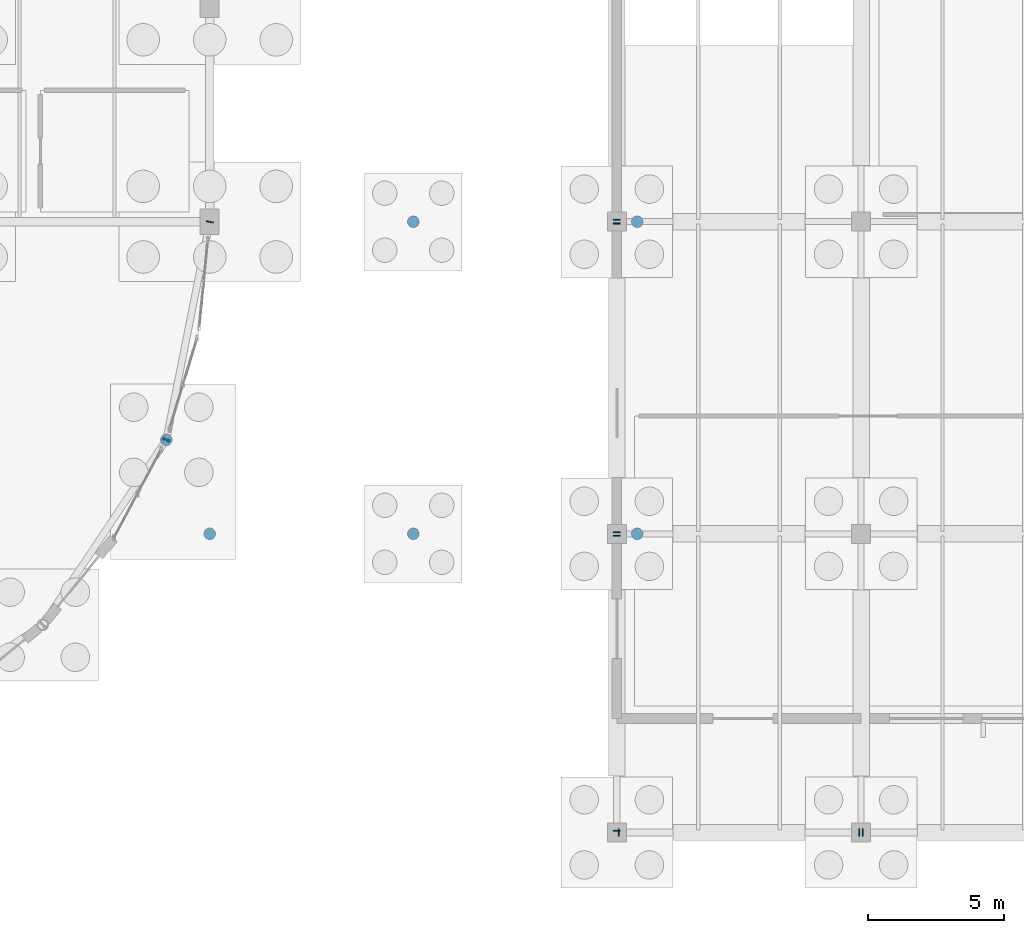
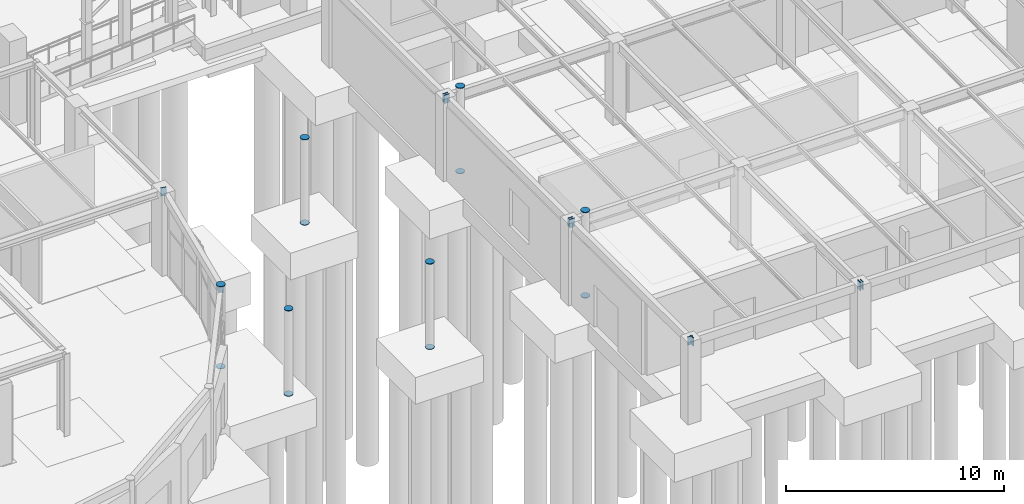
# One storey, part 134 of 160: 23 discrete accessories.
"""IFC4 building model written with IfcOpenShell, lengths in metres."""

from ifc_helpers import new_model, si_unit, direction, frame, origin, origin_2d, place, context, subcontext, project, spatial, rectangle, circle, extrude, material, element, save


model = new_model("IFC4")

# Units and contexts
model_context = context("Model", 3, precision=1e-05, world=origin(), true_north=direction((0.0, 1.0)))
body_context = subcontext(model_context, "Body", "Model", "MODEL_VIEW")
ifc_project = project(units=[si_unit("LENGTHUNIT", "METRE"), si_unit("AREAUNIT", "SQUARE_METRE"), si_unit("VOLUMEUNIT", "CUBIC_METRE"), si_unit("PLANEANGLEUNIT", "RADIAN"), si_unit("MASSUNIT", "GRAM", prefix="KILO")], contexts=[model_context])

# Site, building, storey
site_placement = place(None, origin())
site = spatial("IfcSite", under=ifc_project, at=site_placement, CompositionType="ELEMENT")
building_placement = place(site_placement, origin())
building = spatial("IfcBuilding", under=site, at=building_placement, Name="Marlcrest Central Station", CompositionType="ELEMENT")
storey_placement = place(building_placement, origin())
storey = spatial("IfcBuildingStorey", under=building, at=storey_placement, Name="L00", CompositionType="ELEMENT", Elevation=0.0)

# Discrete accessories
ifc_material = material(Name="Steel S355", Category="steel")
for number, where, z_axis, x_axis, name in (
    (1, (144.045166015625, 0.0, 4.3798828125), (1.0, 0.0, 0.0), (0.0, 1.0, 0.0), "endcap-bm-SP-02-L00-00750-s"),
    (2, (152.9150390625, 0.0, 4.3798828125), (1.0, 0.0, 0.0), (0.0, 1.0, 0.0), "endcap-bm-SP-02-L00-00750-e"),
    (3, (153.045166015625, 0.0, 4.3798828125), (1.0, 0.0, 0.0), (0.0, 1.0, 0.0), "endcap-bm-SP-02-L00-00751-s"),
    (4, (144.0, 0.045166015625, 4.3798828125), (0.0, 1.0, 0.0), (-1.0, 0.0, 0.0), "endcap-bm-SP-02-L00-00782-s"),
    (5, (144.0, 10.9150390625, 4.3798828125), (0.0, 1.0, 0.0), (-1.0, 0.0, 0.0), "endcap-bm-SP-02-L00-00782-e"),
    (6, (144.0, 11.045166015625, 4.3798828125), (0.0, 1.0, 0.0), (-1.0, 0.0, 0.0), "endcap-bm-SP-02-L00-00783-s"),
    (7, (144.0, 22.4150390625, 4.3798828125), (0.0, 1.0, 0.0), (-1.0, 0.0, 0.0), "endcap-bm-SP-02-L00-00783-e"),
    (8, (144.0, 22.545166015625, 4.3798828125), (0.0, 1.0, 0.0), (-1.0, 0.0, 0.0), "endcap-bm-SP-02-L00-00784-s"),
):
    element("IfcDiscreteAccessory", number, at=place(storey_placement, frame(where, z_axis=z_axis, x_axis=x_axis)), inside=storey, material=ifc_material, Name=name, ObjectType="END_CAP_PLATE", PredefinedType="BRACKET", context=body_context, shape_type="SweptSolid", body=[
        extrude(rectangle(XDim=0.26611328125, YDim=0.466064453125, at=origin_2d()), origin(), (0.0, 0.0, 1.0), 0.0400390625),
    ])
for number, where, z_axis, x_axis, name in (
    (9, (127.40087890625, 14.464111328125, -0.014892578125), (0.0, 0.0, 1.0), (1.0, 0.0, 0.0), "endcap-col-SC-10-L00-0811-s"),
    (10, (127.40087890625, 14.464111328125, 4.585205078125), (0.0, 0.0, 1.0), (1.0, 0.0, 0.0), "endcap-col-SC-10-L00-0811-e"),
):
    element("IfcDiscreteAccessory", number, at=place(storey_placement, frame(where, z_axis=z_axis, x_axis=x_axis)), inside=storey, material=ifc_material, Name=name, ObjectType="END_CAP_PLATE", PredefinedType="BRACKET", context=body_context, shape_type="SweptSolid", body=[
        extrude(circle(Radius=0.211181640625, at=origin_2d()), origin(), (0.0, 0.0, 1.0), 0.0400390625),
    ])
for number, where, z_axis, x_axis, name in (
    (11, (127.386962890625, 14.443359375, 4.3798828125), (0.55551129271, 0.831508991937, 0.0), (-0.831508991937, 0.55551129271, 0.0), "endcap-bm-SP-02-L00-01329-e"),
    (12, (127.39794921875, 14.449462890625, 4.3798828125), (0.19517056122, 0.980769316421, 0.0), (-0.980769316421, 0.19517056122, 0.0), "endcap-bm-SP-02-L00-01330-s"),
    (13, (128.9951171875, 22.4755859375, 4.3798828125), (0.19517056122, 0.980769316421, 0.0), (-0.980769316421, 0.19517056122, 0.0), "endcap-bm-SP-02-L00-01330-e"),
):
    element("IfcDiscreteAccessory", number, at=place(storey_placement, frame(where, z_axis=z_axis, x_axis=x_axis)), inside=storey, material=ifc_material, Name=name, ObjectType="END_CAP_PLATE", PredefinedType="BRACKET", context=body_context, shape_type="SweptSolid", body=[
        extrude(rectangle(XDim=0.26611328125, YDim=0.466064453125, at=origin_2d()), origin(), (0.0, 0.0, 1.0), 0.0400390625),
    ])
for number, where, z_axis, x_axis, name in (
    (14, (129.0, 11.0, -0.014892578125), (0.0, 0.0, 1.0), (1.0, 0.0, 0.0), "endcap-col-SC-10-L00-0899-s"),
    (15, (129.0, 11.0, 4.775146484375), (0.0, 0.0, 1.0), (1.0, 0.0, 0.0), "endcap-col-SC-10-L00-0899-e"),
    (16, (136.5, 11.0, -0.014892578125), (0.0, 0.0, 1.0), (1.0, 0.0, 0.0), "endcap-col-SC-10-L00-0901-s"),
    (17, (136.5, 11.0, 4.775146484375), (0.0, 0.0, 1.0), (1.0, 0.0, 0.0), "endcap-col-SC-10-L00-0901-e"),
    (18, (136.5, 22.5, -0.014892578125), (0.0, 0.0, 1.0), (1.0, 0.0, 0.0), "endcap-col-SC-10-L00-0903-s"),
    (19, (136.5, 22.5, 4.775146484375), (0.0, 0.0, 1.0), (1.0, 0.0, 0.0), "endcap-col-SC-10-L00-0903-e"),
    (20, (144.75, 11.0, -0.014892578125), (0.0, 0.0, 1.0), (1.0, 0.0, 0.0), "endcap-col-SC-10-L00-0905-s"),
    (21, (144.75, 11.0, 4.775146484375), (0.0, 0.0, 1.0), (1.0, 0.0, 0.0), "endcap-col-SC-10-L00-0905-e"),
    (22, (144.75, 22.5, -0.014892578125), (0.0, 0.0, 1.0), (1.0, 0.0, 0.0), "endcap-col-SC-10-L00-0907-s"),
    (23, (144.75, 22.5, 4.775146484375), (0.0, 0.0, 1.0), (1.0, 0.0, 0.0), "endcap-col-SC-10-L00-0907-e"),
):
    element("IfcDiscreteAccessory", number, at=place(storey_placement, frame(where, z_axis=z_axis, x_axis=x_axis)), inside=storey, material=ifc_material, Name=name, ObjectType="END_CAP_PLATE", PredefinedType="BRACKET", context=body_context, shape_type="SweptSolid", body=[
        extrude(circle(Radius=0.211181640625, at=origin_2d()), origin(), (0.0, 0.0, 1.0), 0.0400390625),
    ])

save(model, "model.ifc")
